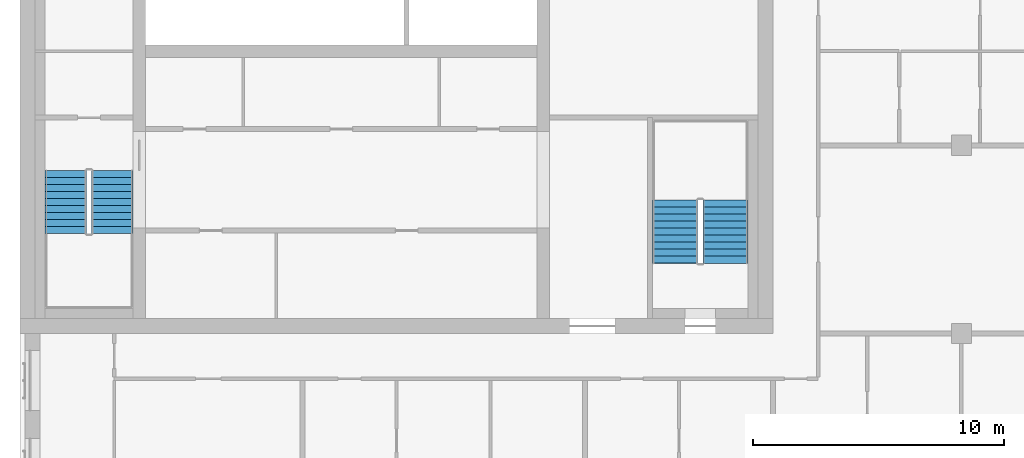
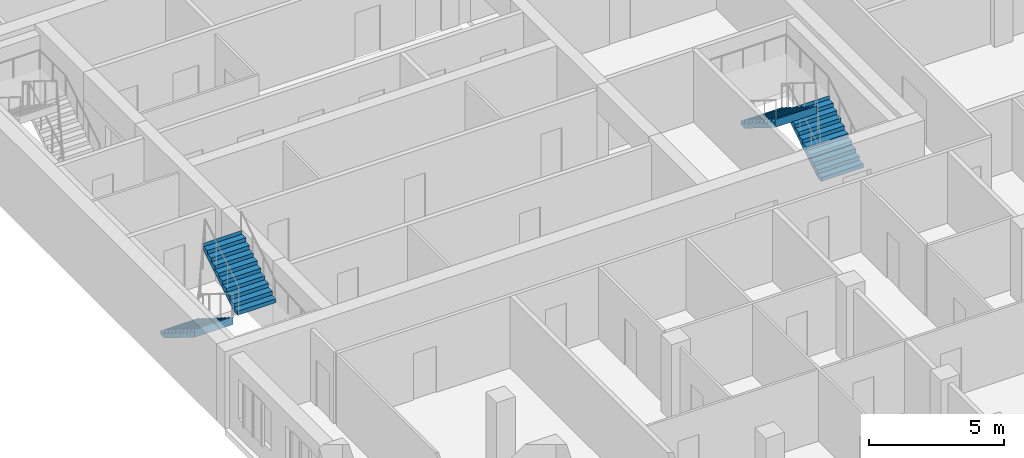
# One storey, part 9 of 11: 4 stair flights, 2 elements without a shape of their own.
"""IFC4 building model written with IfcOpenShell, lengths in metres."""

from ifc_helpers import new_model, si_unit, direction, frame, origin, place, context, subcontext, project, spatial, polyline, outline, extrude, material, type_object, element, aggregate, save


model = new_model("IFC4")

# Units and contexts
model_context = context("Model", 3, precision=1e-05, world=origin(), true_north=direction((0.0, 1.0)))
body_context = subcontext(model_context, "Body", "Model", "MODEL_VIEW")
ifc_project = project(units=[si_unit("LENGTHUNIT", "METRE"), si_unit("AREAUNIT", "SQUARE_METRE"), si_unit("VOLUMEUNIT", "CUBIC_METRE"), si_unit("PLANEANGLEUNIT", "RADIAN"), si_unit("MASSUNIT", "GRAM", prefix="KILO")], contexts=[model_context])

# Site, building, storey
site_placement = place(None, origin())
site = spatial("IfcSite", under=ifc_project, at=site_placement, CompositionType="ELEMENT")
building_placement = place(site_placement, origin())
building = spatial("IfcBuilding", under=site, at=building_placement, Name="Tamorin Gate", CompositionType="ELEMENT")
storey_placement = place(building_placement, frame((0.0, 0.0, 233.699951171875)))
storey = spatial("IfcBuildingStorey", under=building, at=storey_placement, Name="L58", CompositionType="ELEMENT", Elevation=233.699951171875)

# Stair, stair flights
ifc_material = material(Name="Concrete C40/50", Category="concrete")
stair_type = type_object("IfcStairType", Name="Exit stair", PredefinedType="HALF_TURN_STAIR", material=ifc_material)
stair_1_placement = place(storey_placement, origin())
stair_1 = element("IfcStair", 1, at=stair_1_placement, inside=storey, type_object=stair_type, Name="L58 stair ST1", PredefinedType="HALF_TURN_STAIR")
stair_flight_type = type_object("IfcStairFlightType", Name="Exit stair flight", PredefinedType="STRAIGHT", material=ifc_material)
stair_flight_1_placement = place(storey_placement, frame((31.824951171875, 66.5, 0.0), z_axis=(0.0, 0.0, 1.0), x_axis=(0.0, -1.0, 0.0)))
stair_flight_1 = element("IfcStairFlight", 2, at=stair_flight_1_placement, type_object=stair_flight_type, Name="ST1 flight 1", NumberOfRisers=10, NumberOfTreads=9, PredefinedType="STRAIGHT", RiserHeight=0.175, TreadLength=0.28, context=body_context, shape_type="SweptSolid", body=[
    extrude(outline(polyline([(-0.00048828125, 0.0), (-0.00048828125, 0.001708984375), (-0.00048828125, 0.00341796875), (-0.00048828125, 0.005126953125), (-0.00048828125, 0.0068359375), (-0.00048828125, 0.008544921875), (-0.00048828125, 0.010498046875), (-0.00048828125, 0.01220703125), (-0.00048828125, 0.013916015625), (-0.00048828125, 0.015625), (-0.00048828125, 0.017333984375), (-0.00048828125, 0.01904296875), (-0.00048828125, 0.020751953125), (-0.00048828125, 0.0224609375), (-0.00048828125, 0.024169921875), (-0.00048828125, 0.02587890625), (-0.00048828125, 0.02783203125), (-0.00048828125, 0.029541015625), (-0.00048828125, 0.03125), (-0.00048828125, 0.032958984375), (-0.00048828125, 0.03466796875), (-0.00048828125, 0.036376953125), (-0.00048828125, 0.0380859375), (-0.00048828125, 0.039794921875), (-0.00048828125, 0.04150390625), (-0.00048828125, 0.043212890625), (-0.00048828125, 0.045166015625), (-0.00048828125, 0.046875), (-0.00048828125, 0.048583984375), (-0.00048828125, 0.05029296875), (-0.00048828125, 0.052001953125), (-0.00048828125, 0.0537109375), (-0.00048828125, 0.055419921875), (-0.00048828125, 0.05712890625), (-0.00048828125, 0.058837890625), (-0.00048828125, 0.060546875), (-0.00048828125, 0.062255859375), (-0.00048828125, 0.064208984375), (-0.00048828125, 0.06591796875), (-0.00048828125, 0.067626953125), (-0.00048828125, 0.0693359375), (-0.00048828125, 0.071044921875), (-0.00048828125, 0.07275390625), (-0.00048828125, 0.074462890625), (-0.00048828125, 0.076171875), (-0.00048828125, 0.077880859375), (-0.00048828125, 0.07958984375), (-0.00048828125, 0.08154296875), (-0.00048828125, 0.083251953125), (-0.00048828125, 0.0849609375), (-0.00048828125, 0.086669921875), (-0.00048828125, 0.08837890625), (-0.00048828125, 0.090087890625), (-0.00048828125, 0.091796875), (-0.00048828125, 0.093505859375), (-0.00048828125, 0.09521484375), (-0.00048828125, 0.096923828125), (-0.00048828125, 0.098876953125), (-0.00048828125, 0.1005859375), (-0.00048828125, 0.102294921875), (-0.00048828125, 0.10400390625), (-0.00048828125, 0.105712890625), (-0.00048828125, 0.107421875), (-0.00048828125, 0.109130859375), (-0.00048828125, 0.11083984375), (-0.00048828125, 0.112548828125), (-0.00048828125, 0.1142578125), (-0.00048828125, 0.1162109375), (-0.00048828125, 0.117919921875), (-0.00048828125, 0.11962890625), (-0.00048828125, 0.121337890625), (-0.00048828125, 0.123046875), (-0.00048828125, 0.124755859375), (-0.00048828125, 0.12646484375), (-0.00048828125, 0.128173828125), (-0.00048828125, 0.1298828125), (-0.00048828125, 0.131591796875), (-0.00048828125, 0.13330078125), (-0.00048828125, 0.13525390625), (-0.00048828125, 0.136962890625), (-0.00048828125, 0.138671875), (-0.00048828125, 0.140380859375), (-0.00048828125, 0.14208984375), (-0.00048828125, 0.143798828125), (-0.00048828125, 0.1455078125), (-0.00048828125, 0.147216796875), (-0.00048828125, 0.14892578125), (-0.00048828125, 0.150634765625), (-0.00048828125, 0.152587890625), (-0.00048828125, 0.154296875), (-0.00048828125, 0.156005859375), (-0.00048828125, 0.15771484375), (-0.00048828125, 0.159423828125), (-0.00048828125, 0.1611328125), (-0.00048828125, 0.162841796875), (-0.00048828125, 0.16455078125), (-0.00048828125, 0.166259765625), (-0.00048828125, 0.16796875), (-0.00048828125, 0.169921875), (-0.00048828125, 0.171630859375), (-0.00048828125, 0.17333984375), (-0.00048828125, 0.175048828125), (0.280029296875, 0.175048828125), (0.280029296875, 0.35009765625), (0.56005859375, 0.35009765625), (0.56005859375, 0.52490234375), (0.840087890625, 0.52490234375), (0.840087890625, 0.699951171875), (1.1201171875, 0.699951171875), (1.1201171875, 0.875), (1.39990234375, 0.875), (1.39990234375, 1.050048828125), (1.679931640625, 1.050048828125), (1.679931640625, 1.22509765625), (1.9599609375, 1.22509765625), (1.9599609375, 1.39990234375), (2.239990234375, 1.39990234375), (2.239990234375, 1.574951171875), (2.52001953125, 1.574951171875), (2.52001953125, 1.75), (2.5205078125, 1.75), (2.5205078125, 1.74658203125), (2.5205078125, 1.742919921875), (2.5205078125, 1.739501953125), (2.5205078125, 1.736083984375), (2.5205078125, 1.732666015625), (2.5205078125, 1.72900390625), (2.5205078125, 1.7255859375), (2.5205078125, 1.72216796875), (2.5205078125, 1.71875), (2.5205078125, 1.715087890625), (2.5205078125, 1.711669921875), (2.5205078125, 1.708251953125), (2.5205078125, 1.704833984375), (2.5205078125, 1.701171875), (2.5205078125, 1.69775390625), (2.5205078125, 1.6943359375), (2.5205078125, 1.690673828125), (2.5205078125, 1.687255859375), (2.5205078125, 1.683837890625), (2.5205078125, 1.680419921875), (2.5205078125, 1.6767578125), (2.5205078125, 1.67333984375), (2.5205078125, 1.669921875), (2.5205078125, 1.66650390625), (2.5205078125, 1.662841796875), (2.5205078125, 1.659423828125), (2.5205078125, 1.656005859375), (2.5205078125, 1.652587890625), (2.5205078125, 1.64892578125), (2.5205078125, 1.6455078125), (2.5205078125, 1.64208984375), (2.5205078125, 1.638427734375), (2.5205078125, 1.635009765625), (2.5205078125, 1.631591796875), (2.5205078125, 1.628173828125), (2.5205078125, 1.62451171875), (2.5205078125, 1.62109375), (2.5205078125, 1.61767578125), (2.5205078125, 1.6142578125), (2.5205078125, 1.610595703125), (2.5205078125, 1.607177734375), (2.5205078125, 1.603759765625), (2.5205078125, 1.600341796875), (2.5205078125, 1.5966796875), (2.5205078125, 1.59326171875), (2.5205078125, 1.58984375), (2.5205078125, 1.58642578125), (2.5205078125, 1.582763671875), (2.5205078125, 1.579345703125), (2.5205078125, 1.575927734375), (2.5205078125, 1.572265625), (2.5205078125, 1.56884765625), (2.5205078125, 1.5654296875), (2.5205078125, 1.56201171875), (2.5205078125, 1.558349609375), (2.5205078125, 1.554931640625), (2.5205078125, 1.551513671875), (2.5205078125, 1.548095703125), (2.5205078125, 1.54443359375), (2.5205078125, 1.541015625), (2.5205078125, 1.53759765625), (2.5205078125, 1.5341796875), (2.5205078125, 1.530517578125), (2.5205078125, 1.527099609375), (2.5205078125, 1.523681640625), (2.5205078125, 1.52001953125), (2.5205078125, 1.5166015625), (2.5205078125, 1.51318359375), (2.5205078125, 1.509765625), (2.5205078125, 1.506103515625), (2.5205078125, 1.502685546875), (2.5205078125, 1.499267578125), (2.5205078125, 1.495849609375), (2.5205078125, 1.4921875), (2.5205078125, 1.48876953125), (2.5205078125, 1.4853515625), (2.5205078125, 1.48193359375), (2.5205078125, 1.478271484375), (2.5205078125, 1.474853515625), (2.5205078125, 1.471435546875), (2.5205078125, 1.4677734375), (2.5205078125, 1.46435546875), (2.5205078125, 1.4609375), (2.5205078125, 1.45751953125), (2.5205078125, 1.453857421875), (2.5205078125, 1.450439453125), (2.5205078125, 1.447021484375), (2.5205078125, 1.443603515625), (2.5205078125, 1.43994140625), (2.5205078125, 1.4365234375), (2.5205078125, 1.43310546875), (2.5205078125, 1.4296875), (2.5205078125, 1.426025390625), (2.5205078125, 1.422607421875), (2.5205078125, 1.419189453125), (2.5205078125, 1.41552734375), (2.5205078125, 1.412109375), (2.5205078125, 1.40869140625), (2.5205078125, 1.4052734375), (2.5205078125, 1.401611328125), (2.5205078125, 1.398193359375), (2.52001953125, 1.398193359375), (0.28271484375, 0.0), (-0.00048828125, 0.0)])), frame((0.0, 0.824951171875, 0.0), z_axis=(0.0, -1.0, 0.0), x_axis=(1.0, 0.0, 0.0)), (0.0, 0.0, 1.0), 1.64990234375),
])
stair_flight_2_placement = place(storey_placement, frame((33.675048828125, 63.97998046875, 1.75), z_axis=(0.0, 0.0, 1.0), x_axis=(0.0, 1.0, 0.0)))
stair_flight_2 = element("IfcStairFlight", 3, at=stair_flight_2_placement, type_object=stair_flight_type, Name="ST1 flight 2", NumberOfRisers=10, NumberOfTreads=9, PredefinedType="STRAIGHT", RiserHeight=0.175, TreadLength=0.28, context=body_context, shape_type="SweptSolid", body=[
    extrude(outline(polyline([(-0.00048828125, 0.0), (-0.00048828125, 0.001708984375), (-0.00048828125, 0.00341796875), (-0.00048828125, 0.005126953125), (-0.00048828125, 0.0068359375), (-0.00048828125, 0.008544921875), (-0.00048828125, 0.010498046875), (-0.00048828125, 0.01220703125), (-0.00048828125, 0.013916015625), (-0.00048828125, 0.015625), (-0.00048828125, 0.017333984375), (-0.00048828125, 0.01904296875), (-0.00048828125, 0.020751953125), (-0.00048828125, 0.0224609375), (-0.00048828125, 0.024169921875), (-0.00048828125, 0.02587890625), (-0.00048828125, 0.02783203125), (-0.00048828125, 0.029541015625), (-0.00048828125, 0.03125), (-0.00048828125, 0.032958984375), (-0.00048828125, 0.03466796875), (-0.00048828125, 0.036376953125), (-0.00048828125, 0.0380859375), (-0.00048828125, 0.039794921875), (-0.00048828125, 0.04150390625), (-0.00048828125, 0.043212890625), (-0.00048828125, 0.045166015625), (-0.00048828125, 0.046875), (-0.00048828125, 0.048583984375), (-0.00048828125, 0.05029296875), (-0.00048828125, 0.052001953125), (-0.00048828125, 0.0537109375), (-0.00048828125, 0.055419921875), (-0.00048828125, 0.05712890625), (-0.00048828125, 0.058837890625), (-0.00048828125, 0.060546875), (-0.00048828125, 0.062255859375), (-0.00048828125, 0.064208984375), (-0.00048828125, 0.06591796875), (-0.00048828125, 0.067626953125), (-0.00048828125, 0.0693359375), (-0.00048828125, 0.071044921875), (-0.00048828125, 0.07275390625), (-0.00048828125, 0.074462890625), (-0.00048828125, 0.076171875), (-0.00048828125, 0.077880859375), (-0.00048828125, 0.07958984375), (-0.00048828125, 0.08154296875), (-0.00048828125, 0.083251953125), (-0.00048828125, 0.0849609375), (-0.00048828125, 0.086669921875), (-0.00048828125, 0.08837890625), (-0.00048828125, 0.090087890625), (-0.00048828125, 0.091796875), (-0.00048828125, 0.093505859375), (-0.00048828125, 0.09521484375), (-0.00048828125, 0.096923828125), (-0.00048828125, 0.098876953125), (-0.00048828125, 0.1005859375), (-0.00048828125, 0.102294921875), (-0.00048828125, 0.10400390625), (-0.00048828125, 0.105712890625), (-0.00048828125, 0.107421875), (-0.00048828125, 0.109130859375), (-0.00048828125, 0.11083984375), (-0.00048828125, 0.112548828125), (-0.00048828125, 0.1142578125), (-0.00048828125, 0.1162109375), (-0.00048828125, 0.117919921875), (-0.00048828125, 0.11962890625), (-0.00048828125, 0.121337890625), (-0.00048828125, 0.123046875), (-0.00048828125, 0.124755859375), (-0.00048828125, 0.12646484375), (-0.00048828125, 0.128173828125), (-0.00048828125, 0.1298828125), (-0.00048828125, 0.131591796875), (-0.00048828125, 0.13330078125), (-0.00048828125, 0.13525390625), (-0.00048828125, 0.136962890625), (-0.00048828125, 0.138671875), (-0.00048828125, 0.140380859375), (-0.00048828125, 0.14208984375), (-0.00048828125, 0.143798828125), (-0.00048828125, 0.1455078125), (-0.00048828125, 0.147216796875), (-0.00048828125, 0.14892578125), (-0.00048828125, 0.150634765625), (-0.00048828125, 0.152587890625), (-0.00048828125, 0.154296875), (-0.00048828125, 0.156005859375), (-0.00048828125, 0.15771484375), (-0.00048828125, 0.159423828125), (-0.00048828125, 0.1611328125), (-0.00048828125, 0.162841796875), (-0.00048828125, 0.16455078125), (-0.00048828125, 0.166259765625), (-0.00048828125, 0.16796875), (-0.00048828125, 0.169921875), (-0.00048828125, 0.171630859375), (-0.00048828125, 0.17333984375), (-0.00048828125, 0.175048828125), (0.280029296875, 0.175048828125), (0.280029296875, 0.35009765625), (0.56005859375, 0.35009765625), (0.56005859375, 0.52490234375), (0.840087890625, 0.52490234375), (0.840087890625, 0.699951171875), (1.1201171875, 0.699951171875), (1.1201171875, 0.875), (1.39990234375, 0.875), (1.39990234375, 1.050048828125), (1.679931640625, 1.050048828125), (1.679931640625, 1.22509765625), (1.9599609375, 1.22509765625), (1.9599609375, 1.39990234375), (2.239990234375, 1.39990234375), (2.239990234375, 1.574951171875), (2.52001953125, 1.574951171875), (2.52001953125, 1.75), (2.5205078125, 1.75), (2.5205078125, 1.74658203125), (2.5205078125, 1.742919921875), (2.5205078125, 1.739501953125), (2.5205078125, 1.736083984375), (2.5205078125, 1.732666015625), (2.5205078125, 1.72900390625), (2.5205078125, 1.7255859375), (2.5205078125, 1.72216796875), (2.5205078125, 1.71875), (2.5205078125, 1.715087890625), (2.5205078125, 1.711669921875), (2.5205078125, 1.708251953125), (2.5205078125, 1.704833984375), (2.5205078125, 1.701171875), (2.5205078125, 1.69775390625), (2.5205078125, 1.6943359375), (2.5205078125, 1.690673828125), (2.5205078125, 1.687255859375), (2.5205078125, 1.683837890625), (2.5205078125, 1.680419921875), (2.5205078125, 1.6767578125), (2.5205078125, 1.67333984375), (2.5205078125, 1.669921875), (2.5205078125, 1.66650390625), (2.5205078125, 1.662841796875), (2.5205078125, 1.659423828125), (2.5205078125, 1.656005859375), (2.5205078125, 1.652587890625), (2.5205078125, 1.64892578125), (2.5205078125, 1.6455078125), (2.5205078125, 1.64208984375), (2.5205078125, 1.638427734375), (2.5205078125, 1.635009765625), (2.5205078125, 1.631591796875), (2.5205078125, 1.628173828125), (2.5205078125, 1.62451171875), (2.5205078125, 1.62109375), (2.5205078125, 1.61767578125), (2.5205078125, 1.6142578125), (2.5205078125, 1.610595703125), (2.5205078125, 1.607177734375), (2.5205078125, 1.603759765625), (2.5205078125, 1.600341796875), (2.5205078125, 1.5966796875), (2.5205078125, 1.59326171875), (2.5205078125, 1.58984375), (2.5205078125, 1.58642578125), (2.5205078125, 1.582763671875), (2.5205078125, 1.579345703125), (2.5205078125, 1.575927734375), (2.5205078125, 1.572265625), (2.5205078125, 1.56884765625), (2.5205078125, 1.5654296875), (2.5205078125, 1.56201171875), (2.5205078125, 1.558349609375), (2.5205078125, 1.554931640625), (2.5205078125, 1.551513671875), (2.5205078125, 1.548095703125), (2.5205078125, 1.54443359375), (2.5205078125, 1.541015625), (2.5205078125, 1.53759765625), (2.5205078125, 1.5341796875), (2.5205078125, 1.530517578125), (2.5205078125, 1.527099609375), (2.5205078125, 1.523681640625), (2.5205078125, 1.52001953125), (2.5205078125, 1.5166015625), (2.5205078125, 1.51318359375), (2.5205078125, 1.509765625), (2.5205078125, 1.506103515625), (2.5205078125, 1.502685546875), (2.5205078125, 1.499267578125), (2.5205078125, 1.495849609375), (2.5205078125, 1.4921875), (2.5205078125, 1.48876953125), (2.5205078125, 1.4853515625), (2.5205078125, 1.48193359375), (2.5205078125, 1.478271484375), (2.5205078125, 1.474853515625), (2.5205078125, 1.471435546875), (2.5205078125, 1.4677734375), (2.5205078125, 1.46435546875), (2.5205078125, 1.4609375), (2.5205078125, 1.45751953125), (2.5205078125, 1.453857421875), (2.5205078125, 1.450439453125), (2.5205078125, 1.447021484375), (2.5205078125, 1.443603515625), (2.5205078125, 1.43994140625), (2.5205078125, 1.4365234375), (2.5205078125, 1.43310546875), (2.5205078125, 1.4296875), (2.5205078125, 1.426025390625), (2.5205078125, 1.422607421875), (2.5205078125, 1.419189453125), (2.5205078125, 1.41552734375), (2.5205078125, 1.412109375), (2.5205078125, 1.40869140625), (2.5205078125, 1.4052734375), (2.5205078125, 1.401611328125), (2.5205078125, 1.398193359375), (2.52001953125, 1.398193359375), (0.28271484375, 0.0), (-0.00048828125, 0.0)])), frame((0.0, 0.824951171875, 0.0), z_axis=(0.0, -1.0, 0.0), x_axis=(1.0, 0.0, 0.0)), (0.0, 0.0, 1.0), 1.64990234375),
])
aggregate(stair_1, [stair_flight_1, stair_flight_2])

stair_2_placement = place(storey_placement, origin())
stair_2 = element("IfcStair", 4, at=stair_2_placement, inside=storey, type_object=stair_type, Name="L58 stair ST3", PredefinedType="HALF_TURN_STAIR")
stair_flight_3_placement = place(storey_placement, frame((58.10009765625, 62.800048828125, 0.0), z_axis=(0.0, 0.0, 1.0), x_axis=(0.0, 1.0, 0.0)))
stair_flight_3 = element("IfcStairFlight", 5, at=stair_flight_3_placement, type_object=stair_flight_type, Name="ST3 flight 1", NumberOfRisers=10, NumberOfTreads=9, PredefinedType="STRAIGHT", RiserHeight=0.175, TreadLength=0.28, context=body_context, shape_type="SweptSolid", body=[
    extrude(outline(polyline([(-0.00048828125, 0.0), (-0.00048828125, 0.001708984375), (-0.00048828125, 0.00341796875), (-0.00048828125, 0.005126953125), (-0.00048828125, 0.0068359375), (-0.00048828125, 0.008544921875), (-0.00048828125, 0.010498046875), (-0.00048828125, 0.01220703125), (-0.00048828125, 0.013916015625), (-0.00048828125, 0.015625), (-0.00048828125, 0.017333984375), (-0.00048828125, 0.01904296875), (-0.00048828125, 0.020751953125), (-0.00048828125, 0.0224609375), (-0.00048828125, 0.024169921875), (-0.00048828125, 0.02587890625), (-0.00048828125, 0.02783203125), (-0.00048828125, 0.029541015625), (-0.00048828125, 0.03125), (-0.00048828125, 0.032958984375), (-0.00048828125, 0.03466796875), (-0.00048828125, 0.036376953125), (-0.00048828125, 0.0380859375), (-0.00048828125, 0.039794921875), (-0.00048828125, 0.04150390625), (-0.00048828125, 0.043212890625), (-0.00048828125, 0.045166015625), (-0.00048828125, 0.046875), (-0.00048828125, 0.048583984375), (-0.00048828125, 0.05029296875), (-0.00048828125, 0.052001953125), (-0.00048828125, 0.0537109375), (-0.00048828125, 0.055419921875), (-0.00048828125, 0.05712890625), (-0.00048828125, 0.058837890625), (-0.00048828125, 0.060546875), (-0.00048828125, 0.062255859375), (-0.00048828125, 0.064208984375), (-0.00048828125, 0.06591796875), (-0.00048828125, 0.067626953125), (-0.00048828125, 0.0693359375), (-0.00048828125, 0.071044921875), (-0.00048828125, 0.07275390625), (-0.00048828125, 0.074462890625), (-0.00048828125, 0.076171875), (-0.00048828125, 0.077880859375), (-0.00048828125, 0.07958984375), (-0.00048828125, 0.08154296875), (-0.00048828125, 0.083251953125), (-0.00048828125, 0.0849609375), (-0.00048828125, 0.086669921875), (-0.00048828125, 0.08837890625), (-0.00048828125, 0.090087890625), (-0.00048828125, 0.091796875), (-0.00048828125, 0.093505859375), (-0.00048828125, 0.09521484375), (-0.00048828125, 0.096923828125), (-0.00048828125, 0.098876953125), (-0.00048828125, 0.1005859375), (-0.00048828125, 0.102294921875), (-0.00048828125, 0.10400390625), (-0.00048828125, 0.105712890625), (-0.00048828125, 0.107421875), (-0.00048828125, 0.109130859375), (-0.00048828125, 0.11083984375), (-0.00048828125, 0.112548828125), (-0.00048828125, 0.1142578125), (-0.00048828125, 0.1162109375), (-0.00048828125, 0.117919921875), (-0.00048828125, 0.11962890625), (-0.00048828125, 0.121337890625), (-0.00048828125, 0.123046875), (-0.00048828125, 0.124755859375), (-0.00048828125, 0.12646484375), (-0.00048828125, 0.128173828125), (-0.00048828125, 0.1298828125), (-0.00048828125, 0.131591796875), (-0.00048828125, 0.13330078125), (-0.00048828125, 0.13525390625), (-0.00048828125, 0.136962890625), (-0.00048828125, 0.138671875), (-0.00048828125, 0.140380859375), (-0.00048828125, 0.14208984375), (-0.00048828125, 0.143798828125), (-0.00048828125, 0.1455078125), (-0.00048828125, 0.147216796875), (-0.00048828125, 0.14892578125), (-0.00048828125, 0.150634765625), (-0.00048828125, 0.152587890625), (-0.00048828125, 0.154296875), (-0.00048828125, 0.156005859375), (-0.00048828125, 0.15771484375), (-0.00048828125, 0.159423828125), (-0.00048828125, 0.1611328125), (-0.00048828125, 0.162841796875), (-0.00048828125, 0.16455078125), (-0.00048828125, 0.166259765625), (-0.00048828125, 0.16796875), (-0.00048828125, 0.169921875), (-0.00048828125, 0.171630859375), (-0.00048828125, 0.17333984375), (-0.00048828125, 0.175048828125), (0.280029296875, 0.175048828125), (0.280029296875, 0.35009765625), (0.56005859375, 0.35009765625), (0.56005859375, 0.52490234375), (0.840087890625, 0.52490234375), (0.840087890625, 0.699951171875), (1.1201171875, 0.699951171875), (1.1201171875, 0.875), (1.39990234375, 0.875), (1.39990234375, 1.050048828125), (1.679931640625, 1.050048828125), (1.679931640625, 1.22509765625), (1.9599609375, 1.22509765625), (1.9599609375, 1.39990234375), (2.239990234375, 1.39990234375), (2.239990234375, 1.574951171875), (2.52001953125, 1.574951171875), (2.52001953125, 1.75), (2.5205078125, 1.75), (2.5205078125, 1.74658203125), (2.5205078125, 1.742919921875), (2.5205078125, 1.739501953125), (2.5205078125, 1.736083984375), (2.5205078125, 1.732666015625), (2.5205078125, 1.72900390625), (2.5205078125, 1.7255859375), (2.5205078125, 1.72216796875), (2.5205078125, 1.71875), (2.5205078125, 1.715087890625), (2.5205078125, 1.711669921875), (2.5205078125, 1.708251953125), (2.5205078125, 1.704833984375), (2.5205078125, 1.701171875), (2.5205078125, 1.69775390625), (2.5205078125, 1.6943359375), (2.5205078125, 1.690673828125), (2.5205078125, 1.687255859375), (2.5205078125, 1.683837890625), (2.5205078125, 1.680419921875), (2.5205078125, 1.6767578125), (2.5205078125, 1.67333984375), (2.5205078125, 1.669921875), (2.5205078125, 1.66650390625), (2.5205078125, 1.662841796875), (2.5205078125, 1.659423828125), (2.5205078125, 1.656005859375), (2.5205078125, 1.652587890625), (2.5205078125, 1.64892578125), (2.5205078125, 1.6455078125), (2.5205078125, 1.64208984375), (2.5205078125, 1.638427734375), (2.5205078125, 1.635009765625), (2.5205078125, 1.631591796875), (2.5205078125, 1.628173828125), (2.5205078125, 1.62451171875), (2.5205078125, 1.62109375), (2.5205078125, 1.61767578125), (2.5205078125, 1.6142578125), (2.5205078125, 1.610595703125), (2.5205078125, 1.607177734375), (2.5205078125, 1.603759765625), (2.5205078125, 1.600341796875), (2.5205078125, 1.5966796875), (2.5205078125, 1.59326171875), (2.5205078125, 1.58984375), (2.5205078125, 1.58642578125), (2.5205078125, 1.582763671875), (2.5205078125, 1.579345703125), (2.5205078125, 1.575927734375), (2.5205078125, 1.572265625), (2.5205078125, 1.56884765625), (2.5205078125, 1.5654296875), (2.5205078125, 1.56201171875), (2.5205078125, 1.558349609375), (2.5205078125, 1.554931640625), (2.5205078125, 1.551513671875), (2.5205078125, 1.548095703125), (2.5205078125, 1.54443359375), (2.5205078125, 1.541015625), (2.5205078125, 1.53759765625), (2.5205078125, 1.5341796875), (2.5205078125, 1.530517578125), (2.5205078125, 1.527099609375), (2.5205078125, 1.523681640625), (2.5205078125, 1.52001953125), (2.5205078125, 1.5166015625), (2.5205078125, 1.51318359375), (2.5205078125, 1.509765625), (2.5205078125, 1.506103515625), (2.5205078125, 1.502685546875), (2.5205078125, 1.499267578125), (2.5205078125, 1.495849609375), (2.5205078125, 1.4921875), (2.5205078125, 1.48876953125), (2.5205078125, 1.4853515625), (2.5205078125, 1.48193359375), (2.5205078125, 1.478271484375), (2.5205078125, 1.474853515625), (2.5205078125, 1.471435546875), (2.5205078125, 1.4677734375), (2.5205078125, 1.46435546875), (2.5205078125, 1.4609375), (2.5205078125, 1.45751953125), (2.5205078125, 1.453857421875), (2.5205078125, 1.450439453125), (2.5205078125, 1.447021484375), (2.5205078125, 1.443603515625), (2.5205078125, 1.43994140625), (2.5205078125, 1.4365234375), (2.5205078125, 1.43310546875), (2.5205078125, 1.4296875), (2.5205078125, 1.426025390625), (2.5205078125, 1.422607421875), (2.5205078125, 1.419189453125), (2.5205078125, 1.41552734375), (2.5205078125, 1.412109375), (2.5205078125, 1.40869140625), (2.5205078125, 1.4052734375), (2.5205078125, 1.401611328125), (2.5205078125, 1.398193359375), (2.52001953125, 1.398193359375), (0.28271484375, 0.0), (-0.00048828125, 0.0)])), frame((0.0, 0.89990234375, 0.0), z_axis=(0.0, -1.0, 0.0), x_axis=(1.0, 0.0, 0.0)), (0.0, 0.0, 1.0), 1.800048828125),
])
stair_flight_4_placement = place(storey_placement, frame((56.10009765625, 65.320068359375, 1.75), z_axis=(0.0, 0.0, 1.0), x_axis=(0.0, -1.0, 0.0)))
stair_flight_4 = element("IfcStairFlight", 6, at=stair_flight_4_placement, type_object=stair_flight_type, Name="ST3 flight 2", NumberOfRisers=10, NumberOfTreads=9, PredefinedType="STRAIGHT", RiserHeight=0.175, TreadLength=0.28, context=body_context, shape_type="SweptSolid", body=[
    extrude(outline(polyline([(-0.00048828125, 0.0), (-0.00048828125, 0.001708984375), (-0.00048828125, 0.00341796875), (-0.00048828125, 0.005126953125), (-0.00048828125, 0.0068359375), (-0.00048828125, 0.008544921875), (-0.00048828125, 0.010498046875), (-0.00048828125, 0.01220703125), (-0.00048828125, 0.013916015625), (-0.00048828125, 0.015625), (-0.00048828125, 0.017333984375), (-0.00048828125, 0.01904296875), (-0.00048828125, 0.020751953125), (-0.00048828125, 0.0224609375), (-0.00048828125, 0.024169921875), (-0.00048828125, 0.02587890625), (-0.00048828125, 0.02783203125), (-0.00048828125, 0.029541015625), (-0.00048828125, 0.03125), (-0.00048828125, 0.032958984375), (-0.00048828125, 0.03466796875), (-0.00048828125, 0.036376953125), (-0.00048828125, 0.0380859375), (-0.00048828125, 0.039794921875), (-0.00048828125, 0.04150390625), (-0.00048828125, 0.043212890625), (-0.00048828125, 0.045166015625), (-0.00048828125, 0.046875), (-0.00048828125, 0.048583984375), (-0.00048828125, 0.05029296875), (-0.00048828125, 0.052001953125), (-0.00048828125, 0.0537109375), (-0.00048828125, 0.055419921875), (-0.00048828125, 0.05712890625), (-0.00048828125, 0.058837890625), (-0.00048828125, 0.060546875), (-0.00048828125, 0.062255859375), (-0.00048828125, 0.064208984375), (-0.00048828125, 0.06591796875), (-0.00048828125, 0.067626953125), (-0.00048828125, 0.0693359375), (-0.00048828125, 0.071044921875), (-0.00048828125, 0.07275390625), (-0.00048828125, 0.074462890625), (-0.00048828125, 0.076171875), (-0.00048828125, 0.077880859375), (-0.00048828125, 0.07958984375), (-0.00048828125, 0.08154296875), (-0.00048828125, 0.083251953125), (-0.00048828125, 0.0849609375), (-0.00048828125, 0.086669921875), (-0.00048828125, 0.08837890625), (-0.00048828125, 0.090087890625), (-0.00048828125, 0.091796875), (-0.00048828125, 0.093505859375), (-0.00048828125, 0.09521484375), (-0.00048828125, 0.096923828125), (-0.00048828125, 0.098876953125), (-0.00048828125, 0.1005859375), (-0.00048828125, 0.102294921875), (-0.00048828125, 0.10400390625), (-0.00048828125, 0.105712890625), (-0.00048828125, 0.107421875), (-0.00048828125, 0.109130859375), (-0.00048828125, 0.11083984375), (-0.00048828125, 0.112548828125), (-0.00048828125, 0.1142578125), (-0.00048828125, 0.1162109375), (-0.00048828125, 0.117919921875), (-0.00048828125, 0.11962890625), (-0.00048828125, 0.121337890625), (-0.00048828125, 0.123046875), (-0.00048828125, 0.124755859375), (-0.00048828125, 0.12646484375), (-0.00048828125, 0.128173828125), (-0.00048828125, 0.1298828125), (-0.00048828125, 0.131591796875), (-0.00048828125, 0.13330078125), (-0.00048828125, 0.13525390625), (-0.00048828125, 0.136962890625), (-0.00048828125, 0.138671875), (-0.00048828125, 0.140380859375), (-0.00048828125, 0.14208984375), (-0.00048828125, 0.143798828125), (-0.00048828125, 0.1455078125), (-0.00048828125, 0.147216796875), (-0.00048828125, 0.14892578125), (-0.00048828125, 0.150634765625), (-0.00048828125, 0.152587890625), (-0.00048828125, 0.154296875), (-0.00048828125, 0.156005859375), (-0.00048828125, 0.15771484375), (-0.00048828125, 0.159423828125), (-0.00048828125, 0.1611328125), (-0.00048828125, 0.162841796875), (-0.00048828125, 0.16455078125), (-0.00048828125, 0.166259765625), (-0.00048828125, 0.16796875), (-0.00048828125, 0.169921875), (-0.00048828125, 0.171630859375), (-0.00048828125, 0.17333984375), (-0.00048828125, 0.175048828125), (0.280029296875, 0.175048828125), (0.280029296875, 0.35009765625), (0.56005859375, 0.35009765625), (0.56005859375, 0.52490234375), (0.840087890625, 0.52490234375), (0.840087890625, 0.699951171875), (1.1201171875, 0.699951171875), (1.1201171875, 0.875), (1.39990234375, 0.875), (1.39990234375, 1.050048828125), (1.679931640625, 1.050048828125), (1.679931640625, 1.22509765625), (1.9599609375, 1.22509765625), (1.9599609375, 1.39990234375), (2.239990234375, 1.39990234375), (2.239990234375, 1.574951171875), (2.52001953125, 1.574951171875), (2.52001953125, 1.75), (2.5205078125, 1.75), (2.5205078125, 1.74658203125), (2.5205078125, 1.742919921875), (2.5205078125, 1.739501953125), (2.5205078125, 1.736083984375), (2.5205078125, 1.732666015625), (2.5205078125, 1.72900390625), (2.5205078125, 1.7255859375), (2.5205078125, 1.72216796875), (2.5205078125, 1.71875), (2.5205078125, 1.715087890625), (2.5205078125, 1.711669921875), (2.5205078125, 1.708251953125), (2.5205078125, 1.704833984375), (2.5205078125, 1.701171875), (2.5205078125, 1.69775390625), (2.5205078125, 1.6943359375), (2.5205078125, 1.690673828125), (2.5205078125, 1.687255859375), (2.5205078125, 1.683837890625), (2.5205078125, 1.680419921875), (2.5205078125, 1.6767578125), (2.5205078125, 1.67333984375), (2.5205078125, 1.669921875), (2.5205078125, 1.66650390625), (2.5205078125, 1.662841796875), (2.5205078125, 1.659423828125), (2.5205078125, 1.656005859375), (2.5205078125, 1.652587890625), (2.5205078125, 1.64892578125), (2.5205078125, 1.6455078125), (2.5205078125, 1.64208984375), (2.5205078125, 1.638427734375), (2.5205078125, 1.635009765625), (2.5205078125, 1.631591796875), (2.5205078125, 1.628173828125), (2.5205078125, 1.62451171875), (2.5205078125, 1.62109375), (2.5205078125, 1.61767578125), (2.5205078125, 1.6142578125), (2.5205078125, 1.610595703125), (2.5205078125, 1.607177734375), (2.5205078125, 1.603759765625), (2.5205078125, 1.600341796875), (2.5205078125, 1.5966796875), (2.5205078125, 1.59326171875), (2.5205078125, 1.58984375), (2.5205078125, 1.58642578125), (2.5205078125, 1.582763671875), (2.5205078125, 1.579345703125), (2.5205078125, 1.575927734375), (2.5205078125, 1.572265625), (2.5205078125, 1.56884765625), (2.5205078125, 1.5654296875), (2.5205078125, 1.56201171875), (2.5205078125, 1.558349609375), (2.5205078125, 1.554931640625), (2.5205078125, 1.551513671875), (2.5205078125, 1.548095703125), (2.5205078125, 1.54443359375), (2.5205078125, 1.541015625), (2.5205078125, 1.53759765625), (2.5205078125, 1.5341796875), (2.5205078125, 1.530517578125), (2.5205078125, 1.527099609375), (2.5205078125, 1.523681640625), (2.5205078125, 1.52001953125), (2.5205078125, 1.5166015625), (2.5205078125, 1.51318359375), (2.5205078125, 1.509765625), (2.5205078125, 1.506103515625), (2.5205078125, 1.502685546875), (2.5205078125, 1.499267578125), (2.5205078125, 1.495849609375), (2.5205078125, 1.4921875), (2.5205078125, 1.48876953125), (2.5205078125, 1.4853515625), (2.5205078125, 1.48193359375), (2.5205078125, 1.478271484375), (2.5205078125, 1.474853515625), (2.5205078125, 1.471435546875), (2.5205078125, 1.4677734375), (2.5205078125, 1.46435546875), (2.5205078125, 1.4609375), (2.5205078125, 1.45751953125), (2.5205078125, 1.453857421875), (2.5205078125, 1.450439453125), (2.5205078125, 1.447021484375), (2.5205078125, 1.443603515625), (2.5205078125, 1.43994140625), (2.5205078125, 1.4365234375), (2.5205078125, 1.43310546875), (2.5205078125, 1.4296875), (2.5205078125, 1.426025390625), (2.5205078125, 1.422607421875), (2.5205078125, 1.419189453125), (2.5205078125, 1.41552734375), (2.5205078125, 1.412109375), (2.5205078125, 1.40869140625), (2.5205078125, 1.4052734375), (2.5205078125, 1.401611328125), (2.5205078125, 1.398193359375), (2.52001953125, 1.398193359375), (0.28271484375, 0.0), (-0.00048828125, 0.0)])), frame((0.0, 0.89990234375, 0.0), z_axis=(0.0, -1.0, 0.0), x_axis=(1.0, 0.0, 0.0)), (0.0, 0.0, 1.0), 1.800048828125),
])
aggregate(stair_2, [stair_flight_3, stair_flight_4])

save(model, "model.ifc")
